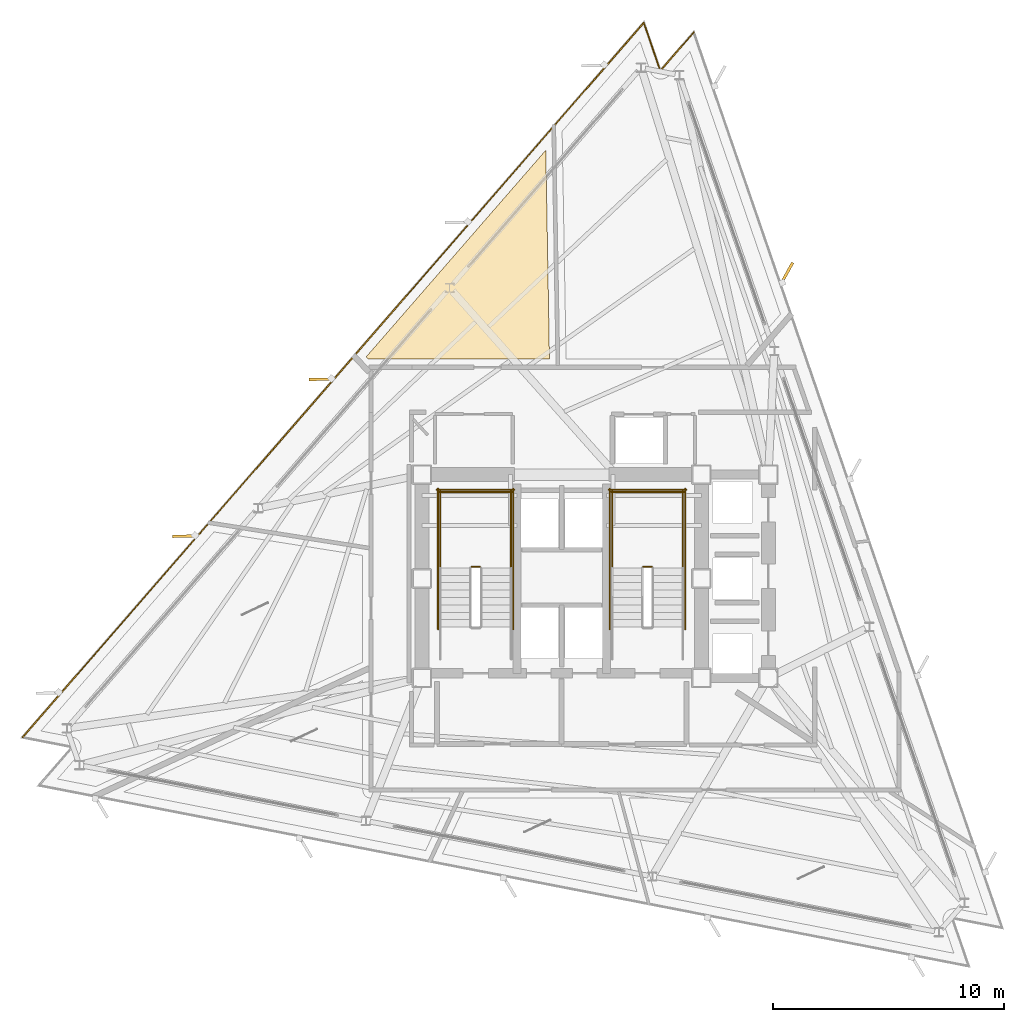
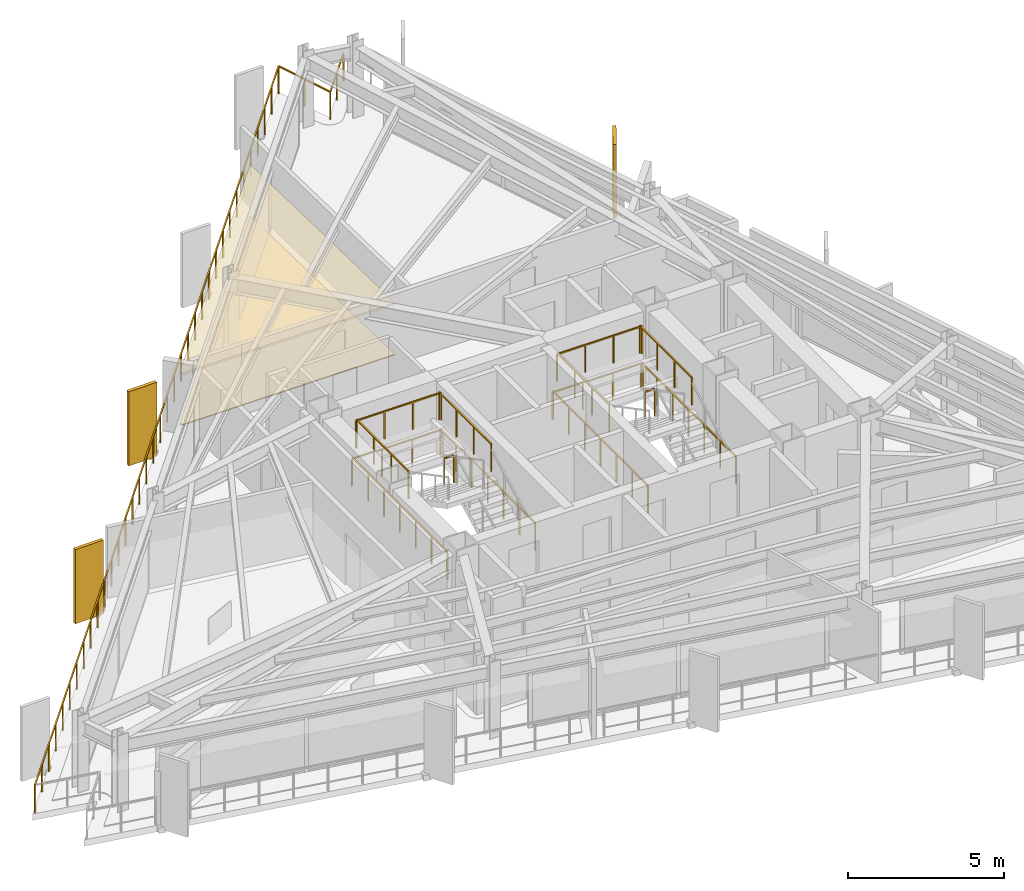
# One storey, part 12 of 13: 15 railings, 3 shading devices, 2 coverings.
"""IFC4 building model written with IfcOpenShell, lengths in metres."""

import ifcopenshell
import ifcopenshell.guid

model = None  # the IFC model being written
_history = None  # IfcOwnerHistory: only IFC2X3 demands one
_inside = {}  # id of a spatial element -> (the spatial element, [elements in it])
_under = {}  # id of a project, library or spatial element -> (it, [spatial elements below it])
_declared = {}  # id of a project -> (the project, [libraries it declares])
_typed = {}  # id of a type object -> (the type object, [elements of that type])
_made_of = {}  # id of a material, layer set ... -> (it, [elements and type objects made of it])


def new_model(schema):
    """Start an empty IFC model of exactly this schema.

    Asked for "IFC4X3", IfcOpenShell would pick the latest addendum, in which some entities
    have other attributes; the version numbers below select the first issue.
    IFC2X3 requires an IfcOwnerHistory on every rooted entity: one is made here for all.
    """
    global model, _history
    if schema == "IFC4X3":
        model = ifcopenshell.file(schema_version=(4, 3, 0, 0))
    else:
        model = ifcopenshell.file(schema=schema)
    _inside.clear()
    _under.clear()
    _declared.clear()
    _typed.clear()
    _made_of.clear()
    _history = None
    if model.schema == "IFC2X3":
        org = make("IfcOrganization", Name="unknown")
        user = make(
            "IfcPersonAndOrganization",
            ThePerson=make("IfcPerson", FamilyName="unknown"),
            TheOrganization=org,
        )
        app = make(
            "IfcApplication",
            ApplicationDeveloper=org,
            Version="unknown",
            ApplicationFullName="unknown",
            ApplicationIdentifier="unknown",
        )
        _history = make(
            "IfcOwnerHistory",
            OwningUser=user,
            OwningApplication=app,
            ChangeAction="ADDED",
            CreationDate=0,
        )
    return model


def make(cls, **values):
    """One entity of the class cls with the attributes given. An attribute that is None is left unset."""
    return model.create_entity(
        cls, **{name: value for name, value in values.items() if value is not None}
    )


def rooted(cls, **values):
    """An entity with a GlobalId (a new one), such as an element, a storey or a relation."""
    return make(cls, GlobalId=ifcopenshell.guid.new(), OwnerHistory=_history, **values)


def si_unit(unit_type, name, prefix=None):
    """IfcSIUnit, for example si_unit("LENGTHUNIT", "METRE", prefix="MILLI")."""
    return make("IfcSIUnit", UnitType=unit_type, Prefix=prefix, Name=name)


def assignment(units):
    """IfcUnitAssignment: the units of a project."""
    return None if units is None else make("IfcUnitAssignment", Units=units)


def point(xyz):
    """IfcCartesianPoint."""
    return None if xyz is None else make("IfcCartesianPoint", Coordinates=xyz)


def direction(xyz):
    """IfcDirection."""
    return None if xyz is None else make("IfcDirection", DirectionRatios=xyz)


def frame(location, z_axis=None, x_axis=None):
    """IfcAxis2Placement3D, a coordinate frame: its origin and axes. An axis left out is left unset."""
    return make(
        "IfcAxis2Placement3D",
        Location=point(location),
        Axis=direction(z_axis),
        RefDirection=direction(x_axis),
    )


def frame_2d(location, x_axis=None):
    """IfcAxis2Placement2D, a coordinate frame in the plane: its origin and x axis."""
    return make(
        "IfcAxis2Placement2D", Location=point(location), RefDirection=direction(x_axis)
    )


def origin():
    """The frame at (0, 0, 0) with its axes left unset."""
    return frame((0.0, 0.0, 0.0))


def origin_2d():
    """The frame at (0, 0) in the plane with its x axis left unset."""
    return frame_2d((0.0, 0.0))


def place(relative_to, where):
    """IfcLocalPlacement: puts the frame where relative to a parent placement (None: the world)."""
    return make(
        "IfcLocalPlacement", PlacementRelTo=relative_to, RelativePlacement=where
    )


def context(
    kind, dimensions, precision=None, world=None, true_north=None, identifier=None
):
    """IfcGeometricRepresentationContext, for example the 3D "Model" context."""
    return make(
        "IfcGeometricRepresentationContext",
        ContextIdentifier=identifier,
        ContextType=kind,
        CoordinateSpaceDimension=dimensions,
        Precision=precision,
        WorldCoordinateSystem=world,
        TrueNorth=true_north,
    )


def subcontext(parent, identifier, kind, view, scale=None):
    """IfcGeometricRepresentationSubContext, for example "Body" below "Model"."""
    return make(
        "IfcGeometricRepresentationSubContext",
        ContextIdentifier=identifier,
        ContextType=kind,
        ParentContext=parent,
        TargetScale=scale,
        TargetView=view,
    )


def project(units=None, contexts=None):
    """IfcProject with its units and contexts."""
    return rooted(
        "IfcProject",
        Name="project",
        RepresentationContexts=contexts,
        UnitsInContext=assignment(units),
    )


def spatial(cls, under=None, at=None, **own):
    """A site, building, storey or space (cls), placed at a placement, below another one or the project."""
    s = rooted(cls, ObjectPlacement=at, **own)
    if under is not None:
        _under.setdefault(under.id(), (under, []))[1].append(s)
    return s


def polyline(points):
    """IfcPolyline through the points."""
    return make("IfcPolyline", Points=[point(p) for p in points])


def profile(cls, at=None, kind="AREA", **sizes):
    """A parametric profile (cls). Its sizes go by their IFC names, for example OverallWidth=200.0."""
    return make(cls, ProfileType=kind, Position=at, **sizes)


def rectangle(**sizes):
    """IfcRectangleProfileDef."""
    return profile("IfcRectangleProfileDef", **sizes)


def outline(outer, holes=None, kind="AREA"):
    """IfcArbitraryClosedProfileDef: a profile drawn as a closed curve; with holes, ...WithVoids."""
    if holes is None:
        return make("IfcArbitraryClosedProfileDef", ProfileType=kind, OuterCurve=outer)
    return make(
        "IfcArbitraryProfileDefWithVoids",
        ProfileType=kind,
        OuterCurve=outer,
        InnerCurves=holes,
    )


def extrude(swept, where, along, depth):
    """IfcExtrudedAreaSolid: the profile swept, set in the frame where, extruded along a direction by depth."""
    return make(
        "IfcExtrudedAreaSolid",
        SweptArea=swept,
        Position=where,
        ExtrudedDirection=direction(along),
        Depth=depth,
    )


def shape(context_of_items, identifier, shape_type, items):
    """IfcShapeRepresentation: the items that make up one representation, for example the "Body"."""
    return make(
        "IfcShapeRepresentation",
        ContextOfItems=context_of_items,
        RepresentationIdentifier=identifier,
        RepresentationType=shape_type,
        Items=items,
    )


def material(Name=None, Category=None):
    """IfcMaterial."""
    return make("IfcMaterial", Name=Name, Category=Category)


def layer(
    of_material, thickness, ventilated=None, Name=None, Category=None, Priority=None
):
    """IfcMaterialLayer: one layer of a wall or slab, of a material (None: an air gap)."""
    return make(
        "IfcMaterialLayer",
        Material=of_material,
        LayerThickness=thickness,
        IsVentilated=ventilated,
        Name=Name,
        Category=Category,
        Priority=Priority,
    )


def layer_set(layers, Name=None):
    """IfcMaterialLayerSet."""
    return make("IfcMaterialLayerSet", MaterialLayers=layers, LayerSetName=Name)


def made_of(thing, what):
    """Note that an element or type object is made of a material, layer set ...; save() writes the relation."""
    if what is not None:
        _made_of.setdefault(what.id(), (what, []))[1].append(thing)
    return thing


def type_object(cls, material=None, **own):
    """A type object (cls), such as IfcWallType, which elements share."""
    return made_of(rooted(cls, **own), material)


def element(
    cls,
    number,
    at=None,
    inside=None,
    cuts=None,
    type_object=None,
    material=None,
    context=None,
    identifier="Body",
    shape_type=None,
    held_by="IfcProductDefinitionShape",
    body=None,
    shapes=None,
    **own,
):
    """One element of the class cls, such as IfcWall. Its Tag is "e" and its number.

    at: its placement. inside: the storey or other place that contains it. cuts: it is an
    opening in that element (IfcRelVoidsElement). A single representation is given by context,
    identifier, shape_type and body (its items); several are given by shapes. held_by: the class
    of the entity that holds the representations. save() writes the other relations.
    """
    e = rooted(cls, Tag="e%d" % number, ObjectPlacement=at, **own)
    if body is not None:
        shapes = [shape(context, identifier, shape_type, body)]
    if shapes is not None:
        e.Representation = make(held_by, Representations=shapes)
    if inside is not None:
        _inside.setdefault(inside.id(), (inside, []))[1].append(e)
    if cuts is not None:
        rooted(
            "IfcRelVoidsElement", RelatingBuildingElement=cuts, RelatedOpeningElement=e
        )
    if type_object is not None:
        _typed.setdefault(type_object.id(), (type_object, []))[1].append(e)
    return made_of(e, material)


def aggregate(whole, parts):
    """IfcRelAggregates: a whole, such as a stair, and the parts it consists of."""
    return rooted("IfcRelAggregates", RelatingObject=whole, RelatedObjects=parts)


def save(model, path):
    """Write the relations noted so far, then the file.

    IfcRelAggregates (storeys below a building ...), IfcRelContainedInSpatialStructure (elements
    in a storey), IfcRelDefinesByType, IfcRelAssociatesMaterial and IfcRelDeclares: one each for
    every whole, place, type object, material and project.
    """
    for whole, parts in _under.values():
        aggregate(whole, parts)
    for where, things in _inside.values():
        rooted(
            "IfcRelContainedInSpatialStructure",
            RelatedElements=things,
            RelatingStructure=where,
        )
    for kind, things in _typed.values():
        rooted("IfcRelDefinesByType", RelatedObjects=things, RelatingType=kind)
    for what, things in _made_of.values():
        rooted("IfcRelAssociatesMaterial", RelatedObjects=things, RelatingMaterial=what)
    for by, libraries in _declared.values():
        rooted("IfcRelDeclares", RelatingContext=by, RelatedDefinitions=libraries)
    model.write(path)


model = new_model("IFC4")

# Units and contexts
model_context = context("Model", 3, precision=1e-05, world=origin(), true_north=direction((0.0, 1.0)))
body_context = subcontext(model_context, "Body", "Model", "MODEL_VIEW")
ifc_project = project(units=[si_unit("LENGTHUNIT", "METRE"), si_unit("AREAUNIT", "SQUARE_METRE"), si_unit("VOLUMEUNIT", "CUBIC_METRE"), si_unit("PLANEANGLEUNIT", "RADIAN"), si_unit("MASSUNIT", "GRAM", prefix="KILO")], contexts=[model_context])

# Site, building, storey
site_placement = place(None, origin())
site = spatial("IfcSite", under=ifc_project, at=site_placement, CompositionType="ELEMENT")
building_placement = place(site_placement, origin())
building = spatial("IfcBuilding", under=site, at=building_placement, Name="Rocaltana Carrier Exchange", CompositionType="ELEMENT")
storey_placement = place(building_placement, frame((0.0, 0.0, 159.360107421875)))
storey = spatial("IfcBuildingStorey", under=building, at=storey_placement, Name="L50", CompositionType="ELEMENT", Elevation=159.360107421875)

# Coverings
ifc_material_1 = material(Name="Honed Bogota Sandstone Tile", Category="masonry")
ifc_layer_1 = layer(ifc_material_1, 0.0400390625)
ifc_layer_set_1 = layer_set([ifc_layer_1], Name="Honed Bogota Sandstone Tile")
covering_type_1 = type_object("IfcCoveringType", Name="Honed Stone Lobby Flooring 40", PredefinedType="FLOORING", material=ifc_layer_set_1)
covering_1_placement = place(storey_placement, origin())
element("IfcCovering", 1, at=covering_1_placement, inside=storey, type_object=covering_type_1, Name="L50 Carrier Peering Suite Finish Floor", PredefinedType="FLOORING", context=body_context, shape_type="SweptSolid", body=[
    extrude(outline(polyline([(-8.359619140625, 9.49267578125), (-8.46044921875, 9.6005859375), (-0.683837890625, 18.54638671875), (-0.526123046875, 9.510009765625), (-8.25, 9.510009765625), (-8.263671875, 9.509765625), (-8.271484375, 9.50927734375), (-8.298828125, 9.506591796875), (-8.306640625, 9.50537109375), (-8.33349609375, 9.5), (-8.34130859375, 9.498291015625), (-8.359619140625, 9.49267578125)])), origin(), (0.0, 0.0, 1.0), 0.039794921875),
])
ifc_material_2 = material(Name="Anodised Aluminium 6063-T6", Category="aluminium")
ifc_layer_2 = layer(ifc_material_2, 0.0849609375)
ifc_layer_set_2 = layer_set([ifc_layer_2], Name="Anodised Aluminium 6063-T6")
covering_type_2 = type_object("IfcCoveringType", Name="Linear Baffle Acoustic Ceiling 85", PredefinedType="CEILING", material=ifc_layer_set_2)
covering_2_placement = place(storey_placement, frame((0.0, 0.0, 1.972900390625)))
element("IfcCovering", 2, at=covering_2_placement, inside=storey, type_object=covering_type_2, Name="L50 Carrier Peering Suite Acoustic Ceiling", PredefinedType="CEILING", context=body_context, shape_type="SweptSolid", body=[
    extrude(outline(polyline([(-8.359619140625, 9.49267578125), (-8.46044921875, 9.6005859375), (-0.683837890625, 18.54638671875), (-0.526123046875, 9.510009765625), (-8.25, 9.510009765625), (-8.263671875, 9.509765625), (-8.271484375, 9.50927734375), (-8.298828125, 9.506591796875), (-8.306640625, 9.50537109375), (-8.33349609375, 9.5), (-8.34130859375, 9.498291015625), (-8.359619140625, 9.49267578125)])), origin(), (0.0, 0.0, 1.0), 0.0849609375),
])

# Railings
ifc_material_3 = material(Name="Powder-Coated Aluminium 6063-T6", Category="aluminium")
ifc_layer_3 = layer(ifc_material_3, 0.048095703125)
ifc_layer_set_3 = layer_set([ifc_layer_3], Name="Powder-Coated Aluminium 6063-T6")
railing_type_1 = type_object("IfcRailingType", Name="Stair Well Guardrail 1100", PredefinedType="GUARDRAIL", material=ifc_layer_set_3)
railing_1_placement = place(storey_placement, frame((-3.5400390625, 0.510009765625, 1.519775390625)))
element("IfcRailing", 3, at=railing_1_placement, inside=storey, type_object=railing_type_1, Name="L50 ST-1 stair guard 2", PredefinedType="GUARDRAIL", context=body_context, shape_type="SweptSolid", body=[
    extrude(rectangle(XDim=0.048095703125, YDim=0.048095703125, at=origin_2d()), frame((0.0, 0.0, 1.076171875), z_axis=(-1.0, 0.0, 0.0), x_axis=(0.0, -1.0, 0.0)), (0.0, 0.0, 1.0), 0.35986328125),
    extrude(rectangle(XDim=0.0419921875, YDim=0.0419921875, at=origin_2d()), origin(), (0.0, 0.0, 1.0), 1.052001953125),
    extrude(rectangle(XDim=0.0419921875, YDim=0.0419921875, at=origin_2d()), frame((-0.35986328125, 0.0, 0.0)), (0.0, 0.0, 1.0), 1.052001953125),
])
for number, where, name in (
    (4, (-2.18994140625, 0.4599609375, 1.519775390625), "L50 ST-1 stair guard 3"),
    (5, (-5.25, 0.4599609375, 1.519775390625), "L50 ST-1 stair guard 4"),
):
    element("IfcRailing", number, at=place(storey_placement, frame(where)), inside=storey, type_object=railing_type_1, Name=name, PredefinedType="GUARDRAIL", context=body_context, shape_type="SweptSolid", body=[
        extrude(rectangle(XDim=0.048095703125, YDim=0.048095703125, at=origin_2d()), frame((0.0, 0.0, 1.076171875), z_axis=(0.0, 1.0, 0.0), x_axis=(-1.0, 0.0, 0.0)), (0.0, 0.0, 1.0), 3.340087890625),
        extrude(rectangle(XDim=0.0419921875, YDim=0.0419921875, at=origin_2d()), origin(), (0.0, 0.0, 1.0), 1.052001953125),
        extrude(rectangle(XDim=0.0419921875, YDim=0.0419921875, at=origin_2d()), frame((0.0, 1.11328125, 0.0)), (0.0, 0.0, 1.0), 1.052001953125),
        extrude(rectangle(XDim=0.0419921875, YDim=0.0419921875, at=origin_2d()), frame((0.0, 2.226806640625, 0.0)), (0.0, 0.0, 1.0), 1.052001953125),
        extrude(rectangle(XDim=0.0419921875, YDim=0.0419921875, at=origin_2d()), frame((0.0, 3.340087890625, 0.0)), (0.0, 0.0, 1.0), 1.052001953125),
    ])
railing_2_placement = place(storey_placement, frame((-2.139892578125, 3.75, 1.519775390625)))
element("IfcRailing", 6, at=railing_2_placement, inside=storey, type_object=railing_type_1, Name="L50 ST-1 stair guard 5", PredefinedType="GUARDRAIL", context=body_context, shape_type="SweptSolid", body=[
    extrude(rectangle(XDim=0.048095703125, YDim=0.048095703125, at=origin_2d()), frame((0.0, 0.0, 1.076171875), z_axis=(-1.0, 0.0, 0.0), x_axis=(0.0, -1.0, 0.0)), (0.0, 0.0, 1.0), 3.16015625),
    extrude(rectangle(XDim=0.0419921875, YDim=0.0419921875, at=origin_2d()), origin(), (0.0, 0.0, 1.0), 1.052001953125),
    extrude(rectangle(XDim=0.0419921875, YDim=0.0419921875, at=origin_2d()), frame((-1.053466796875, 0.0, 0.0)), (0.0, 0.0, 1.0), 1.052001953125),
    extrude(rectangle(XDim=0.0419921875, YDim=0.0419921875, at=origin_2d()), frame((-2.106689453125, 0.0, 0.0)), (0.0, 0.0, 1.0), 1.052001953125),
    extrude(rectangle(XDim=0.0419921875, YDim=0.0419921875, at=origin_2d()), frame((-3.16015625, 0.0, 0.0)), (0.0, 0.0, 1.0), 1.052001953125),
])
for number, where, name in (
    (7, (-2.090087890625, -2.199951171875, 0.0), "L50 ST-1 stair guard 10"),
    (8, (-5.35009765625, -2.199951171875, 0.0), "L50 ST-1 stair guard 11"),
):
    element("IfcRailing", number, at=place(storey_placement, frame(where)), inside=storey, type_object=railing_type_1, Name=name, PredefinedType="GUARDRAIL", context=body_context, shape_type="SweptSolid", body=[
        extrude(rectangle(XDim=0.048095703125, YDim=0.048095703125, at=origin_2d()), frame((0.0, 0.0, 1.076171875), z_axis=(0.0, 1.0, 0.0), x_axis=(-1.0, 0.0, 0.0)), (0.0, 0.0, 1.0), 6.099853515625),
        extrude(rectangle(XDim=0.0419921875, YDim=0.0419921875, at=origin_2d()), origin(), (0.0, 0.0, 1.0), 1.052001953125),
        extrude(rectangle(XDim=0.0419921875, YDim=0.0419921875, at=origin_2d()), frame((0.0, 1.0166015625, 0.0)), (0.0, 0.0, 1.0), 1.052001953125),
        extrude(rectangle(XDim=0.0419921875, YDim=0.0419921875, at=origin_2d()), frame((0.0, 2.033203125, 0.0)), (0.0, 0.0, 1.0), 1.052001953125),
        extrude(rectangle(XDim=0.0419921875, YDim=0.0419921875, at=origin_2d()), frame((0.0, 3.0498046875, 0.0)), (0.0, 0.0, 1.0), 1.052001953125),
        extrude(rectangle(XDim=0.0419921875, YDim=0.0419921875, at=origin_2d()), frame((0.0, 4.066650390625, 0.0)), (0.0, 0.0, 1.0), 1.052001953125),
        extrude(rectangle(XDim=0.0419921875, YDim=0.0419921875, at=origin_2d()), frame((0.0, 5.083251953125, 0.0)), (0.0, 0.0, 1.0), 1.052001953125),
        extrude(rectangle(XDim=0.0419921875, YDim=0.0419921875, at=origin_2d()), frame((0.0, 6.099853515625, 0.0)), (0.0, 0.0, 1.0), 1.052001953125),
    ])
railing_3_placement = place(storey_placement, frame((-2.0400390625, 3.85009765625, 0.0)))
element("IfcRailing", 9, at=railing_3_placement, inside=storey, type_object=railing_type_1, Name="L50 ST-1 stair guard 12", PredefinedType="GUARDRAIL", context=body_context, shape_type="SweptSolid", body=[
    extrude(rectangle(XDim=0.048095703125, YDim=0.048095703125, at=origin_2d()), frame((0.0, 0.0, 1.076171875), z_axis=(-1.0, 0.0, 0.0), x_axis=(0.0, -1.0, 0.0)), (0.0, 0.0, 1.0), 3.35986328125),
    extrude(rectangle(XDim=0.0419921875, YDim=0.0419921875, at=origin_2d()), origin(), (0.0, 0.0, 1.0), 1.052001953125),
    extrude(rectangle(XDim=0.0419921875, YDim=0.0419921875, at=origin_2d()), frame((-1.119873046875, 0.0, 0.0)), (0.0, 0.0, 1.0), 1.052001953125),
    extrude(rectangle(XDim=0.0419921875, YDim=0.0419921875, at=origin_2d()), frame((-2.239990234375, 0.0, 0.0)), (0.0, 0.0, 1.0), 1.052001953125),
    extrude(rectangle(XDim=0.0419921875, YDim=0.0419921875, at=origin_2d()), frame((-3.35986328125, 0.0, 0.0)), (0.0, 0.0, 1.0), 1.052001953125),
])
railing_4_placement = place(storey_placement, frame((3.89990234375, 0.510009765625, 1.519775390625)))
element("IfcRailing", 10, at=railing_4_placement, inside=storey, type_object=railing_type_1, Name="L50 ST-2 stair guard 2", PredefinedType="GUARDRAIL", context=body_context, shape_type="SweptSolid", body=[
    extrude(rectangle(XDim=0.048095703125, YDim=0.048095703125, at=origin_2d()), frame((0.0, 0.0, 1.076171875), z_axis=(-1.0, 0.0, 0.0), x_axis=(0.0, -1.0, 0.0)), (0.0, 0.0, 1.0), 0.35986328125),
    extrude(rectangle(XDim=0.0419921875, YDim=0.0419921875, at=origin_2d()), origin(), (0.0, 0.0, 1.0), 1.052001953125),
    extrude(rectangle(XDim=0.0419921875, YDim=0.0419921875, at=origin_2d()), frame((-0.35986328125, 0.0, 0.0)), (0.0, 0.0, 1.0), 1.052001953125),
])
for number, where, name in (
    (11, (5.25, 0.4599609375, 1.519775390625), "L50 ST-2 stair guard 3"),
    (12, (2.18994140625, 0.4599609375, 1.519775390625), "L50 ST-2 stair guard 4"),
):
    element("IfcRailing", number, at=place(storey_placement, frame(where)), inside=storey, type_object=railing_type_1, Name=name, PredefinedType="GUARDRAIL", context=body_context, shape_type="SweptSolid", body=[
        extrude(rectangle(XDim=0.048095703125, YDim=0.048095703125, at=origin_2d()), frame((0.0, 0.0, 1.076171875), z_axis=(0.0, 1.0, 0.0), x_axis=(-1.0, 0.0, 0.0)), (0.0, 0.0, 1.0), 3.340087890625),
        extrude(rectangle(XDim=0.0419921875, YDim=0.0419921875, at=origin_2d()), origin(), (0.0, 0.0, 1.0), 1.052001953125),
        extrude(rectangle(XDim=0.0419921875, YDim=0.0419921875, at=origin_2d()), frame((0.0, 1.11328125, 0.0)), (0.0, 0.0, 1.0), 1.052001953125),
        extrude(rectangle(XDim=0.0419921875, YDim=0.0419921875, at=origin_2d()), frame((0.0, 2.226806640625, 0.0)), (0.0, 0.0, 1.0), 1.052001953125),
        extrude(rectangle(XDim=0.0419921875, YDim=0.0419921875, at=origin_2d()), frame((0.0, 3.340087890625, 0.0)), (0.0, 0.0, 1.0), 1.052001953125),
    ])
railing_5_placement = place(storey_placement, frame((5.300048828125, 3.75, 1.519775390625)))
element("IfcRailing", 13, at=railing_5_placement, inside=storey, type_object=railing_type_1, Name="L50 ST-2 stair guard 5", PredefinedType="GUARDRAIL", context=body_context, shape_type="SweptSolid", body=[
    extrude(rectangle(XDim=0.048095703125, YDim=0.048095703125, at=origin_2d()), frame((0.0, 0.0, 1.076171875), z_axis=(-1.0, 0.0, 0.0), x_axis=(0.0, -1.0, 0.0)), (0.0, 0.0, 1.0), 3.16015625),
    extrude(rectangle(XDim=0.0419921875, YDim=0.0419921875, at=origin_2d()), origin(), (0.0, 0.0, 1.0), 1.052001953125),
    extrude(rectangle(XDim=0.0419921875, YDim=0.0419921875, at=origin_2d()), frame((-1.053466796875, 0.0, 0.0)), (0.0, 0.0, 1.0), 1.052001953125),
    extrude(rectangle(XDim=0.0419921875, YDim=0.0419921875, at=origin_2d()), frame((-2.106689453125, 0.0, 0.0)), (0.0, 0.0, 1.0), 1.052001953125),
    extrude(rectangle(XDim=0.0419921875, YDim=0.0419921875, at=origin_2d()), frame((-3.16015625, 0.0, 0.0)), (0.0, 0.0, 1.0), 1.052001953125),
])
for number, where, name in (
    (14, (5.35009765625, -2.199951171875, 0.0), "L50 ST-2 stair guard 10"),
    (15, (2.090087890625, -2.199951171875, 0.0), "L50 ST-2 stair guard 11"),
):
    element("IfcRailing", number, at=place(storey_placement, frame(where)), inside=storey, type_object=railing_type_1, Name=name, PredefinedType="GUARDRAIL", context=body_context, shape_type="SweptSolid", body=[
        extrude(rectangle(XDim=0.048095703125, YDim=0.048095703125, at=origin_2d()), frame((0.0, 0.0, 1.076171875), z_axis=(0.0, 1.0, 0.0), x_axis=(-1.0, 0.0, 0.0)), (0.0, 0.0, 1.0), 6.099853515625),
        extrude(rectangle(XDim=0.0419921875, YDim=0.0419921875, at=origin_2d()), origin(), (0.0, 0.0, 1.0), 1.052001953125),
        extrude(rectangle(XDim=0.0419921875, YDim=0.0419921875, at=origin_2d()), frame((0.0, 1.0166015625, 0.0)), (0.0, 0.0, 1.0), 1.052001953125),
        extrude(rectangle(XDim=0.0419921875, YDim=0.0419921875, at=origin_2d()), frame((0.0, 2.033203125, 0.0)), (0.0, 0.0, 1.0), 1.052001953125),
        extrude(rectangle(XDim=0.0419921875, YDim=0.0419921875, at=origin_2d()), frame((0.0, 3.0498046875, 0.0)), (0.0, 0.0, 1.0), 1.052001953125),
        extrude(rectangle(XDim=0.0419921875, YDim=0.0419921875, at=origin_2d()), frame((0.0, 4.066650390625, 0.0)), (0.0, 0.0, 1.0), 1.052001953125),
        extrude(rectangle(XDim=0.0419921875, YDim=0.0419921875, at=origin_2d()), frame((0.0, 5.083251953125, 0.0)), (0.0, 0.0, 1.0), 1.052001953125),
        extrude(rectangle(XDim=0.0419921875, YDim=0.0419921875, at=origin_2d()), frame((0.0, 6.099853515625, 0.0)), (0.0, 0.0, 1.0), 1.052001953125),
    ])
railing_6_placement = place(storey_placement, frame((5.39990234375, 3.85009765625, 0.0)))
element("IfcRailing", 16, at=railing_6_placement, inside=storey, type_object=railing_type_1, Name="L50 ST-2 stair guard 12", PredefinedType="GUARDRAIL", context=body_context, shape_type="SweptSolid", body=[
    extrude(rectangle(XDim=0.048095703125, YDim=0.048095703125, at=origin_2d()), frame((0.0, 0.0, 1.076171875), z_axis=(-1.0, 0.0, 0.0), x_axis=(0.0, -1.0, 0.0)), (0.0, 0.0, 1.0), 3.35986328125),
    extrude(rectangle(XDim=0.0419921875, YDim=0.0419921875, at=origin_2d()), origin(), (0.0, 0.0, 1.0), 1.052001953125),
    extrude(rectangle(XDim=0.0419921875, YDim=0.0419921875, at=origin_2d()), frame((-1.119873046875, 0.0, 0.0)), (0.0, 0.0, 1.0), 1.052001953125),
    extrude(rectangle(XDim=0.0419921875, YDim=0.0419921875, at=origin_2d()), frame((-2.239990234375, 0.0, 0.0)), (0.0, 0.0, 1.0), 1.052001953125),
    extrude(rectangle(XDim=0.0419921875, YDim=0.0419921875, at=origin_2d()), frame((-3.35986328125, 0.0, 0.0)), (0.0, 0.0, 1.0), 1.052001953125),
])

# Shading devices
ifc_material_4 = material(Name="Honed Bogota Sandstone & Concrete C45/55", Category="masonry")
ifc_layer_4 = layer(ifc_material_4, 0.1201171875)
ifc_layer_set_4 = layer_set([ifc_layer_4], Name="Honed Bogota Sandstone & Concrete C45/55")
shading_device_type = type_object("IfcShadingDeviceType", Name="Upper Sandstone Shading Fin 1050x120", PredefinedType="USERDEFINED", material=ifc_layer_set_4)
for number, where, z_axis, x_axis, name in (
    (17, (9.75146484375, 13.219482421875, -0.1201171875), (0.0, 0.0, 1.0), (0.484809620246, 0.874619707139, 0.0), "L50 Sandstone Vertical Fin F1-04"),
    (18, (-10.419677734375, 8.627685546875, -0.1201171875), (0.0, 0.0, 1.0), (-0.999847695156, -0.017452406437, 0.0), "L50 Sandstone Vertical Fin F2-03"),
    (19, (-16.32421875, 1.835205078125, -0.1201171875), (0.0, 0.0, 1.0), (-0.999847695156, -0.017452406437, 0.0), "L50 Sandstone Vertical Fin F2-04"),
):
    element("IfcShadingDevice", number, at=place(storey_placement, frame(where, z_axis=z_axis, x_axis=x_axis)), inside=storey, type_object=shading_device_type, Name=name, ObjectType="FIN", PredefinedType="USERDEFINED", context=body_context, shape_type="SweptSolid", body=[
        extrude(rectangle(XDim=1.050048828125, YDim=0.1201171875, at=origin_2d()), origin(), (0.0, 0.0, 1.0), 2.907958984375),
    ])

# Railing
ifc_material_5 = material(Name="Powder-Coated Aluminium 6063-T6", Category="aluminium")
ifc_layer_5 = layer(ifc_material_5, 0.06005859375)
ifc_layer_set_5 = layer_set([ifc_layer_5], Name="Powder-Coated Aluminium 6063-T6")
railing_type_2 = type_object("IfcRailingType", Name="Wind-Floor & Terrace Perimeter Guardrail 1100", PredefinedType="GUARDRAIL", material=ifc_layer_set_5)
railing_7_placement = place(storey_placement, frame((-23.3359375, -6.871826171875, 0.0)))
element("IfcRailing", 20, at=railing_7_placement, inside=storey, type_object=railing_type_2, Name="L50 Perimeter Balcony Guardrail 2", PredefinedType="GUARDRAIL", context=body_context, shape_type="SweptSolid", body=[
    extrude(rectangle(XDim=0.048095703125, YDim=0.048095703125, at=origin_2d()), frame((0.0, 0.0, 1.076171875), z_axis=(0.656058089841, 0.754710396612, 0.0), x_axis=(-0.754710396612, 0.656058089841, 0.0)), (0.0, 0.0, 1.0), 40.991943359375),
    extrude(rectangle(XDim=0.048095703125, YDim=0.048095703125, at=origin_2d()), frame((26.89306640625, 30.93701171875, 1.076171875), z_axis=(0.325600768791, -0.945507344955, 0.0), x_axis=(0.945507344955, 0.325600768791, 0.0)), (0.0, 0.0, 1.0), 2.199951171875),
    extrude(rectangle(XDim=0.048095703125, YDim=0.048095703125, at=origin_2d()), frame((27.609375, 28.85693359375, 1.076171875), z_axis=(0.656057821484, 0.75471062989, 0.0), x_axis=(-0.75471062989, 0.656057821484, 0.0)), (0.0, 0.0, 1.0), 2.199951171875),
    extrude(rectangle(XDim=0.0419921875, YDim=0.0419921875, at=origin_2d()), origin(), (0.0, 0.0, 1.0), 1.052001953125),
    extrude(rectangle(XDim=0.0419921875, YDim=0.0419921875, at=origin_2d()), frame((0.768310546875, 0.884033203125, 0.0)), (0.0, 0.0, 1.0), 1.052001953125),
    extrude(rectangle(XDim=0.0419921875, YDim=0.0419921875, at=origin_2d()), frame((1.536865234375, 1.767822265625, 0.0)), (0.0, 0.0, 1.0), 1.052001953125),
    extrude(rectangle(XDim=0.0419921875, YDim=0.0419921875, at=origin_2d()), frame((2.30517578125, 2.65185546875, 0.0)), (0.0, 0.0, 1.0), 1.052001953125),
    extrude(rectangle(XDim=0.0419921875, YDim=0.0419921875, at=origin_2d()), frame((3.073486328125, 3.53564453125, 0.0)), (0.0, 0.0, 1.0), 1.052001953125),
    extrude(rectangle(XDim=0.0419921875, YDim=0.0419921875, at=origin_2d()), frame((3.841796875, 4.419677734375, 0.0)), (0.0, 0.0, 1.0), 1.052001953125),
    extrude(rectangle(XDim=0.0419921875, YDim=0.0419921875, at=origin_2d()), frame((4.6103515625, 5.303466796875, 0.0)), (0.0, 0.0, 1.0), 1.052001953125),
    extrude(rectangle(XDim=0.0419921875, YDim=0.0419921875, at=origin_2d()), frame((5.378662109375, 6.1875, 0.0)), (0.0, 0.0, 1.0), 1.052001953125),
    extrude(rectangle(XDim=0.0419921875, YDim=0.0419921875, at=origin_2d()), frame((6.14697265625, 7.0712890625, 0.0)), (0.0, 0.0, 1.0), 1.052001953125),
    extrude(rectangle(XDim=0.0419921875, YDim=0.0419921875, at=origin_2d()), frame((6.915283203125, 7.955322265625, 0.0)), (0.0, 0.0, 1.0), 1.052001953125),
    extrude(rectangle(XDim=0.0419921875, YDim=0.0419921875, at=origin_2d()), frame((7.683837890625, 8.839111328125, 0.0)), (0.0, 0.0, 1.0), 1.052001953125),
    extrude(rectangle(XDim=0.0419921875, YDim=0.0419921875, at=origin_2d()), frame((8.4521484375, 9.72314453125, 0.0)), (0.0, 0.0, 1.0), 1.052001953125),
    extrude(rectangle(XDim=0.0419921875, YDim=0.0419921875, at=origin_2d()), frame((9.220458984375, 10.60693359375, 0.0)), (0.0, 0.0, 1.0), 1.052001953125),
    extrude(rectangle(XDim=0.0419921875, YDim=0.0419921875, at=origin_2d()), frame((9.98876953125, 11.490966796875, 0.0)), (0.0, 0.0, 1.0), 1.052001953125),
    extrude(rectangle(XDim=0.0419921875, YDim=0.0419921875, at=origin_2d()), frame((10.75732421875, 12.374755859375, 0.0)), (0.0, 0.0, 1.0), 1.052001953125),
    extrude(rectangle(XDim=0.0419921875, YDim=0.0419921875, at=origin_2d()), frame((11.525634765625, 13.2587890625, 0.0)), (0.0, 0.0, 1.0), 1.052001953125),
    extrude(rectangle(XDim=0.0419921875, YDim=0.0419921875, at=origin_2d()), frame((12.2939453125, 14.142578125, 0.0)), (0.0, 0.0, 1.0), 1.052001953125),
    extrude(rectangle(XDim=0.0419921875, YDim=0.0419921875, at=origin_2d()), frame((13.062255859375, 15.026611328125, 0.0)), (0.0, 0.0, 1.0), 1.052001953125),
    extrude(rectangle(XDim=0.0419921875, YDim=0.0419921875, at=origin_2d()), frame((13.830810546875, 15.910400390625, 0.0)), (0.0, 0.0, 1.0), 1.052001953125),
    extrude(rectangle(XDim=0.0419921875, YDim=0.0419921875, at=origin_2d()), frame((14.59912109375, 16.79443359375, 0.0)), (0.0, 0.0, 1.0), 1.052001953125),
    extrude(rectangle(XDim=0.0419921875, YDim=0.0419921875, at=origin_2d()), frame((15.367431640625, 17.67822265625, 0.0)), (0.0, 0.0, 1.0), 1.052001953125),
    extrude(rectangle(XDim=0.0419921875, YDim=0.0419921875, at=origin_2d()), frame((16.1357421875, 18.562255859375, 0.0)), (0.0, 0.0, 1.0), 1.052001953125),
    extrude(rectangle(XDim=0.0419921875, YDim=0.0419921875, at=origin_2d()), frame((16.904296875, 19.446044921875, 0.0)), (0.0, 0.0, 1.0), 1.052001953125),
    extrude(rectangle(XDim=0.0419921875, YDim=0.0419921875, at=origin_2d()), frame((17.672607421875, 20.330078125, 0.0)), (0.0, 0.0, 1.0), 1.052001953125),
    extrude(rectangle(XDim=0.0419921875, YDim=0.0419921875, at=origin_2d()), frame((18.44091796875, 21.2138671875, 0.0)), (0.0, 0.0, 1.0), 1.052001953125),
    extrude(rectangle(XDim=0.0419921875, YDim=0.0419921875, at=origin_2d()), frame((19.209228515625, 22.097900390625, 0.0)), (0.0, 0.0, 1.0), 1.052001953125),
    extrude(rectangle(XDim=0.0419921875, YDim=0.0419921875, at=origin_2d()), frame((19.977783203125, 22.981689453125, 0.0)), (0.0, 0.0, 1.0), 1.052001953125),
    extrude(rectangle(XDim=0.0419921875, YDim=0.0419921875, at=origin_2d()), frame((20.74609375, 23.86572265625, 0.0)), (0.0, 0.0, 1.0), 1.052001953125),
    extrude(rectangle(XDim=0.0419921875, YDim=0.0419921875, at=origin_2d()), frame((21.514404296875, 24.74951171875, 0.0)), (0.0, 0.0, 1.0), 1.052001953125),
    extrude(rectangle(XDim=0.0419921875, YDim=0.0419921875, at=origin_2d()), frame((22.28271484375, 25.633544921875, 0.0)), (0.0, 0.0, 1.0), 1.052001953125),
    extrude(rectangle(XDim=0.0419921875, YDim=0.0419921875, at=origin_2d()), frame((23.05126953125, 26.517333984375, 0.0)), (0.0, 0.0, 1.0), 1.052001953125),
    extrude(rectangle(XDim=0.0419921875, YDim=0.0419921875, at=origin_2d()), frame((23.819580078125, 27.4013671875, 0.0)), (0.0, 0.0, 1.0), 1.052001953125),
    extrude(rectangle(XDim=0.0419921875, YDim=0.0419921875, at=origin_2d()), frame((24.587890625, 28.28515625, 0.0)), (0.0, 0.0, 1.0), 1.052001953125),
    extrude(rectangle(XDim=0.0419921875, YDim=0.0419921875, at=origin_2d()), frame((25.356201171875, 29.169189453125, 0.0)), (0.0, 0.0, 1.0), 1.052001953125),
    extrude(rectangle(XDim=0.0419921875, YDim=0.0419921875, at=origin_2d()), frame((26.124755859375, 30.052978515625, 0.0)), (0.0, 0.0, 1.0), 1.052001953125),
    extrude(rectangle(XDim=0.0419921875, YDim=0.0419921875, at=origin_2d()), frame((26.89306640625, 30.93701171875, 0.0)), (0.0, 0.0, 1.0), 1.052001953125),
    extrude(rectangle(XDim=0.0419921875, YDim=0.0419921875, at=origin_2d()), frame((27.251220703125, 29.89697265625, 0.0)), (0.0, 0.0, 1.0), 1.052001953125),
    extrude(rectangle(XDim=0.0419921875, YDim=0.0419921875, at=origin_2d()), frame((27.609375, 28.85693359375, 0.0)), (0.0, 0.0, 1.0), 1.052001953125),
    extrude(rectangle(XDim=0.0419921875, YDim=0.0419921875, at=origin_2d()), frame((28.3310546875, 29.68701171875, 0.0)), (0.0, 0.0, 1.0), 1.052001953125),
    extrude(rectangle(XDim=0.0419921875, YDim=0.0419921875, at=origin_2d()), frame((29.052734375, 30.517333984375, 0.0)), (0.0, 0.0, 1.0), 1.052001953125),
])

save(model, "model.ifc")
